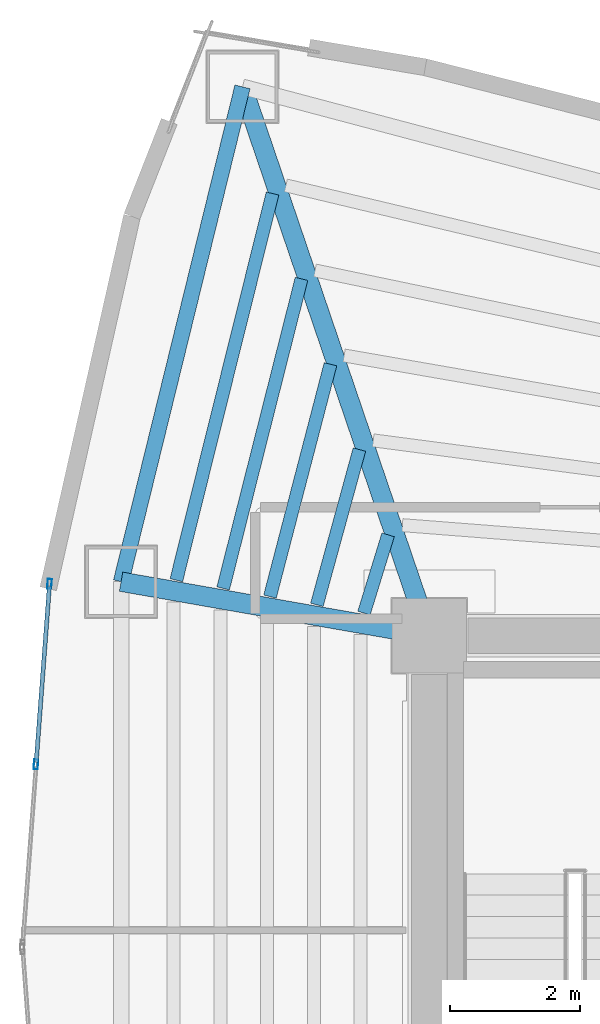
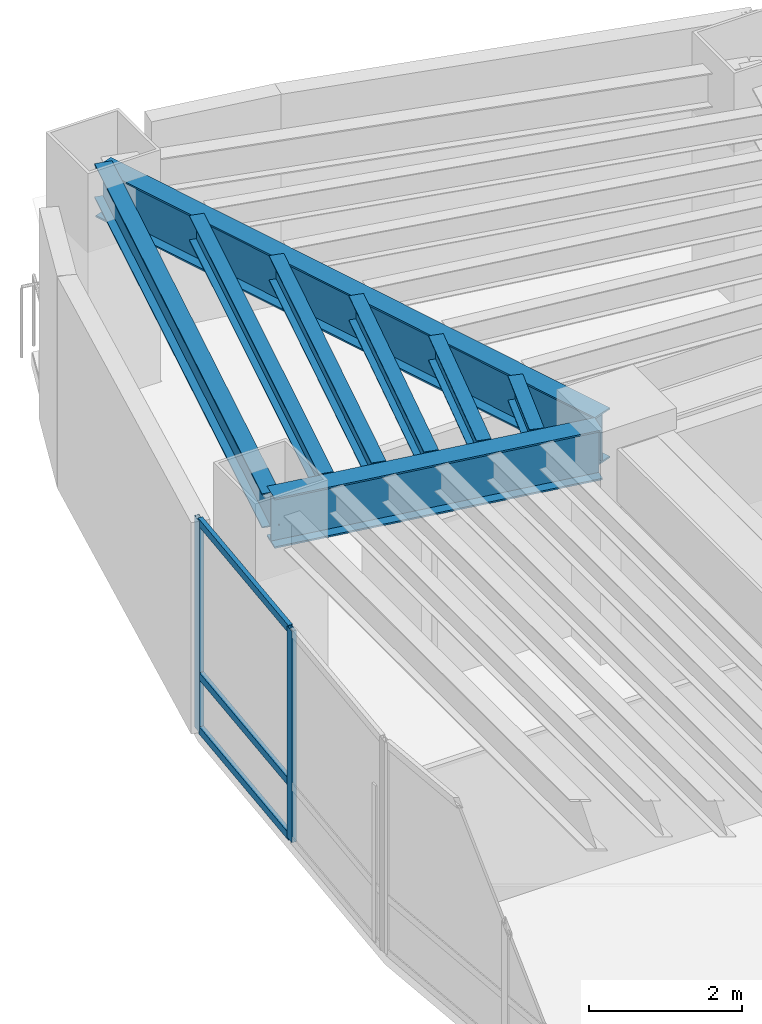
# One storey, part 7 of 15: 8 beams, 5 members, 1 element without a shape of its own.
"""IFC4 building model written with IfcOpenShell, lengths in metres."""

from ifc_helpers import new_model, si_unit, direction, frame, origin, origin_2d, place, context, subcontext, project, spatial, hollow_rectangle, i_section, extrude, material, layer, layer_set, material_profile, profile_set, type_object, element, aggregate, save


model = new_model("IFC4")

# Units and contexts
model_context = context("Model", 3, precision=1e-05, world=origin(), true_north=direction((0.0, 1.0)))
body_context = subcontext(model_context, "Body", "Model", "MODEL_VIEW")
ifc_project = project(units=[si_unit("LENGTHUNIT", "METRE"), si_unit("AREAUNIT", "SQUARE_METRE"), si_unit("VOLUMEUNIT", "CUBIC_METRE"), si_unit("PLANEANGLEUNIT", "RADIAN"), si_unit("MASSUNIT", "GRAM", prefix="KILO")], contexts=[model_context])

# Site, building, storey
site_placement = place(None, origin())
site = spatial("IfcSite", under=ifc_project, at=site_placement, CompositionType="ELEMENT")
building_placement = place(site_placement, origin())
building = spatial("IfcBuilding", under=site, at=building_placement, Name="Menara Vayukalpa", CompositionType="ELEMENT")
storey_placement = place(building_placement, frame((0.0, 0.0, 144.89990234375)))
storey = spatial("IfcBuildingStorey", under=building, at=storey_placement, Name="L36", CompositionType="ELEMENT", Elevation=144.89990234375)

# Beams
ifc_material_1 = material(Name="Steel S355", Category="steel")
ifc_material_profile_1 = material_profile(ifc_material_1, i_section(OverallWidth=0.300048828125, OverallDepth=0.800048828125, WebThickness=0.013916015625, FlangeThickness=0.02587890625, at=origin_2d()), Name="WF 800x300x14x26")
ifc_profile_set_1 = profile_set([ifc_material_profile_1], Name="Steel S355")
beam_type_1 = type_object("IfcBeamType", Name="BM-PG3", PredefinedType="BEAM", material=ifc_profile_set_1)
beam_1_placement = place(storey_placement, frame((17.719482421875, 27.03662109375, 2.97998046875), z_axis=(-0.322207533072, 0.946669058136, 0.0), x_axis=(-0.946669058136, -0.322207533072, 0.0)))
element("IfcBeam", 1, at=beam_1_placement, inside=storey, type_object=beam_type_1, Name="L36 Primary Radial Girder RG04", PredefinedType="BEAM", context=body_context, shape_type="SweptSolid", body=[
    extrude(i_section(OverallWidth=0.300048828125, OverallDepth=0.800048828125, WebThickness=0.013916015625, FlangeThickness=0.02587890625, at=origin_2d()), origin(), (0.0, 0.0, 1.0), 8.687255859375),
])
beam_2_placement = place(storey_placement, frame((17.5537109375, 26.843017578125, 2.97998046875), z_axis=(-0.985011651805, 0.172487813505, 0.0), x_axis=(-0.172487813505, -0.985011651805, 0.0)))
element("IfcBeam", 2, at=beam_2_placement, inside=storey, type_object=beam_type_1, Name="L36 Primary Radial Girder RG05", PredefinedType="BEAM", context=body_context, shape_type="SweptSolid", body=[
    extrude(i_section(OverallWidth=0.300048828125, OverallDepth=0.800048828125, WebThickness=0.013916015625, FlangeThickness=0.02587890625, at=origin_2d()), origin(), (0.0, 0.0, 1.0), 4.5732421875),
])
ifc_material_2 = material(Name="Steel S355", Category="steel")
ifc_material_profile_2 = material_profile(ifc_material_2, i_section(OverallWidth=0.199951171875, OverallDepth=0.39990234375, WebThickness=0.008056640625, FlangeThickness=0.012939453125, at=origin_2d()), Name="WF 400x200x8x13")
ifc_profile_set_2 = profile_set([ifc_material_profile_2], Name="Steel S355")
beam_type_2 = type_object("IfcBeamType", Name="BM-SJ2", PredefinedType="JOIST", material=ifc_profile_set_2)
beam_3_placement = place(storey_placement, frame((17.16552734375, 28.3544921875, 3.18017578125), z_axis=(-0.294927758635, -0.955519553534, 0.0), x_axis=(0.955519553534, -0.294927758635, 0.0)))
element("IfcBeam", 3, at=beam_3_placement, inside=storey, type_object=beam_type_2, Name="L36 Secondary Floor Joist SJ04-1", PredefinedType="JOIST", context=body_context, shape_type="SweptSolid", body=[
    extrude(i_section(OverallWidth=0.199951171875, OverallDepth=0.39990234375, WebThickness=0.008056640625, FlangeThickness=0.012939453125, at=origin_2d()), origin(), (0.0, 0.0, 1.0), 1.26318359375),
])
beam_4_placement = place(storey_placement, frame((16.722900390625, 29.668701171875, 3.18017578125), z_axis=(-0.264232640077, -0.964458973683, 0.0), x_axis=(0.964458973683, -0.264232640077, 0.0)))
element("IfcBeam", 4, at=beam_4_placement, inside=storey, type_object=beam_type_2, Name="L36 Secondary Floor Joist SJ04-2", PredefinedType="JOIST", context=body_context, shape_type="SweptSolid", body=[
    extrude(i_section(OverallWidth=0.199951171875, OverallDepth=0.39990234375, WebThickness=0.008056640625, FlangeThickness=0.012939453125, at=origin_2d()), origin(), (0.0, 0.0, 1.0), 2.481689453125),
])
beam_5_placement = place(storey_placement, frame((16.277099609375, 30.984130859375, 3.18017578125), z_axis=(-0.252021814079, -0.967721553562, 0.0), x_axis=(0.967721553562, -0.252021814079, 0.0)))
element("IfcBeam", 5, at=beam_5_placement, inside=storey, type_object=beam_type_2, Name="L36 Secondary Floor Joist SJ04-3", PredefinedType="JOIST", context=body_context, shape_type="SweptSolid", body=[
    extrude(i_section(OverallWidth=0.199951171875, OverallDepth=0.39990234375, WebThickness=0.008056640625, FlangeThickness=0.012939453125, at=origin_2d()), origin(), (0.0, 0.0, 1.0), 3.701416015625),
])
beam_6_placement = place(storey_placement, frame((15.830322265625, 32.299560546875, 3.18017578125), z_axis=(-0.245440749471, -0.969411593958, 0.0), x_axis=(0.969411593958, -0.245440749471, 0.0)))
element("IfcBeam", 6, at=beam_6_placement, inside=storey, type_object=beam_type_2, Name="L36 Secondary Floor Joist SJ04-4", PredefinedType="JOIST", context=body_context, shape_type="SweptSolid", body=[
    extrude(i_section(OverallWidth=0.199951171875, OverallDepth=0.39990234375, WebThickness=0.008056640625, FlangeThickness=0.012939453125, at=origin_2d()), origin(), (0.0, 0.0, 1.0), 4.921875),
])
beam_7_placement = place(storey_placement, frame((15.38330078125, 33.615234375, 3.18017578125), z_axis=(-0.241356999927, -0.970436395951, 0.0), x_axis=(0.970436395951, -0.241356999927, 0.0)))
element("IfcBeam", 7, at=beam_7_placement, inside=storey, type_object=beam_type_2, Name="L36 Secondary Floor Joist SJ04-5", PredefinedType="JOIST", context=body_context, shape_type="SweptSolid", body=[
    extrude(i_section(OverallWidth=0.199951171875, OverallDepth=0.39990234375, WebThickness=0.008056640625, FlangeThickness=0.012939453125, at=origin_2d()), origin(), (0.0, 0.0, 1.0), 6.14208984375),
])
ifc_material_3 = material(Name="Steel S355", Category="steel")
ifc_material_profile_3 = material_profile(ifc_material_3, i_section(OverallWidth=0.239990234375, OverallDepth=0.550048828125, WebThickness=0.010986328125, FlangeThickness=0.01904296875, at=origin_2d()), Name="WF 550x240x11x19")
ifc_profile_set_3 = profile_set([ifc_material_profile_3], Name="Steel S355")
beam_type_3 = type_object("IfcBeamType", Name="BM-SP2", PredefinedType="SPANDREL", material=ifc_profile_set_3)
beam_8_placement = place(storey_placement, frame((14.92041015625, 35.260498046875, 3.10498046875), z_axis=(-0.238240335346, -0.971206230733, 0.0), x_axis=(0.971206230733, -0.238240335346, 0.0)))
element("IfcBeam", 8, at=beam_8_placement, inside=storey, type_object=beam_type_3, Name="L36 Perimeter Spandrel Beam SP04", PredefinedType="SPANDREL", context=body_context, shape_type="SweptSolid", body=[
    extrude(i_section(OverallWidth=0.239990234375, OverallDepth=0.550048828125, WebThickness=0.010986328125, FlangeThickness=0.01904296875, at=origin_2d()), origin(), (0.0, 0.0, 1.0), 7.854736328125),
])

# Curtain wall, members
ifc_material_4 = material(Name="Anodised Terracotta Aluminium Alloy 6063-T6", Category="masonry")
ifc_layer = layer(ifc_material_4, 0.14990234375)
ifc_layer_set = layer_set([ifc_layer], Name="Anodised Terracotta Aluminium Alloy 6063-T6")
curtain_wall_type = type_object("IfcCurtainWallType", Name="CW-CW3", PredefinedType="USERDEFINED", material=ifc_layer_set)
curtain_wall_placement = place(storey_placement, origin())
curtain_wall = element("IfcCurtainWall", 9, at=curtain_wall_placement, inside=storey, type_object=curtain_wall_type, Name="L36 Mid Rise Terracotta Ribbon Curtain Wall CW3 10", ObjectType="UNITISED", PredefinedType="USERDEFINED")
ifc_material_5 = material(Name="Anodised Terracotta Aluminium Alloy 6063-T6", Category="masonry")
ifc_material_profile_4 = material_profile(ifc_material_5, hollow_rectangle(XDim=0.06494140625, YDim=0.14990234375, WallThickness=0.00341796875, at=origin_2d()), Name="ALU 65x150x3.5")
ifc_profile_set_4 = profile_set([ifc_material_profile_4], Name="Anodised Terracotta Aluminium Alloy 6063-T6")
member_type_1 = type_object("IfcMemberType", Name="CWM-CW3", PredefinedType="MULLION", material=ifc_profile_set_4)
member_1_placement = place(storey_placement, frame((11.94677734375, 27.599365234375, 0.0), z_axis=(0.0, 0.0, 1.0), x_axis=(0.997199111801, -0.074792589364, 0.0)))
member_1 = element("IfcMember", 10, at=member_1_placement, type_object=member_type_1, Name="CW3 mullion 1", PredefinedType="MULLION", context=body_context, shape_type="SweptSolid", body=[
    extrude(hollow_rectangle(XDim=0.06494140625, YDim=0.14990234375, WallThickness=0.00341796875, at=origin_2d()), origin(), (0.0, 0.0, 1.0), 3.380126953125),
])
member_2_placement = place(storey_placement, frame((11.73779296875, 24.81591796875, 0.0), z_axis=(0.0, 0.0, 1.0), x_axis=(0.997199111801, -0.074792589364, 0.0)))
member_2 = element("IfcMember", 11, at=member_2_placement, type_object=member_type_1, Name="CW3 mullion 2", PredefinedType="MULLION", context=body_context, shape_type="SweptSolid", body=[
    extrude(hollow_rectangle(XDim=0.06494140625, YDim=0.14990234375, WallThickness=0.00341796875, at=origin_2d()), origin(), (0.0, 0.0, 1.0), 3.380126953125),
])
ifc_material_6 = material(Name="Anodised Terracotta Aluminium Alloy 6063-T6", Category="masonry")
ifc_material_profile_5 = material_profile(ifc_material_6, hollow_rectangle(XDim=0.06494140625, YDim=0.1201171875, WallThickness=0.00341796875, at=origin_2d()), Name="ALU 65x120x3.5")
ifc_profile_set_5 = profile_set([ifc_material_profile_5], Name="Anodised Terracotta Aluminium Alloy 6063-T6")
member_type_2 = type_object("IfcMemberType", Name="CWT-CW3", PredefinedType="USERDEFINED", material=ifc_profile_set_5)
member_3_placement = place(storey_placement, frame((11.9443359375, 27.56689453125, 0.03271484375), z_axis=(-0.074867870211, -0.997193462679, 0.0), x_axis=(0.997193462679, -0.074867870211, 0.0)))
member_3 = element("IfcMember", 12, at=member_3_placement, type_object=member_type_2, Name="CW3 transom 1.1", ObjectType="TRANSOM", PredefinedType="USERDEFINED", context=body_context, shape_type="SweptSolid", body=[
    extrude(hollow_rectangle(XDim=0.06494140625, YDim=0.1201171875, WallThickness=0.00341796875, at=origin_2d()), origin(), (0.0, 0.0, 1.0), 2.72607421875),
])
member_4_placement = place(storey_placement, frame((11.9443359375, 27.56689453125, 0.900146484375), z_axis=(-0.074867870211, -0.997193462679, 0.0), x_axis=(0.997193462679, -0.074867870211, 0.0)))
member_4 = element("IfcMember", 13, at=member_4_placement, type_object=member_type_2, Name="CW3 transom 1.2", ObjectType="TRANSOM", PredefinedType="USERDEFINED", context=body_context, shape_type="SweptSolid", body=[
    extrude(hollow_rectangle(XDim=0.06494140625, YDim=0.1201171875, WallThickness=0.00341796875, at=origin_2d()), origin(), (0.0, 0.0, 1.0), 2.72607421875),
])
member_5_placement = place(storey_placement, frame((11.9443359375, 27.56689453125, 3.34765625), z_axis=(-0.074867870211, -0.997193462679, 0.0), x_axis=(0.997193462679, -0.074867870211, 0.0)))
member_5 = element("IfcMember", 14, at=member_5_placement, type_object=member_type_2, Name="CW3 transom 1.3", ObjectType="TRANSOM", PredefinedType="USERDEFINED", context=body_context, shape_type="SweptSolid", body=[
    extrude(hollow_rectangle(XDim=0.06494140625, YDim=0.1201171875, WallThickness=0.00341796875, at=origin_2d()), origin(), (0.0, 0.0, 1.0), 2.72607421875),
])
aggregate(curtain_wall, [member_1, member_2, member_3, member_4, member_5])

save(model, "model.ifc")
